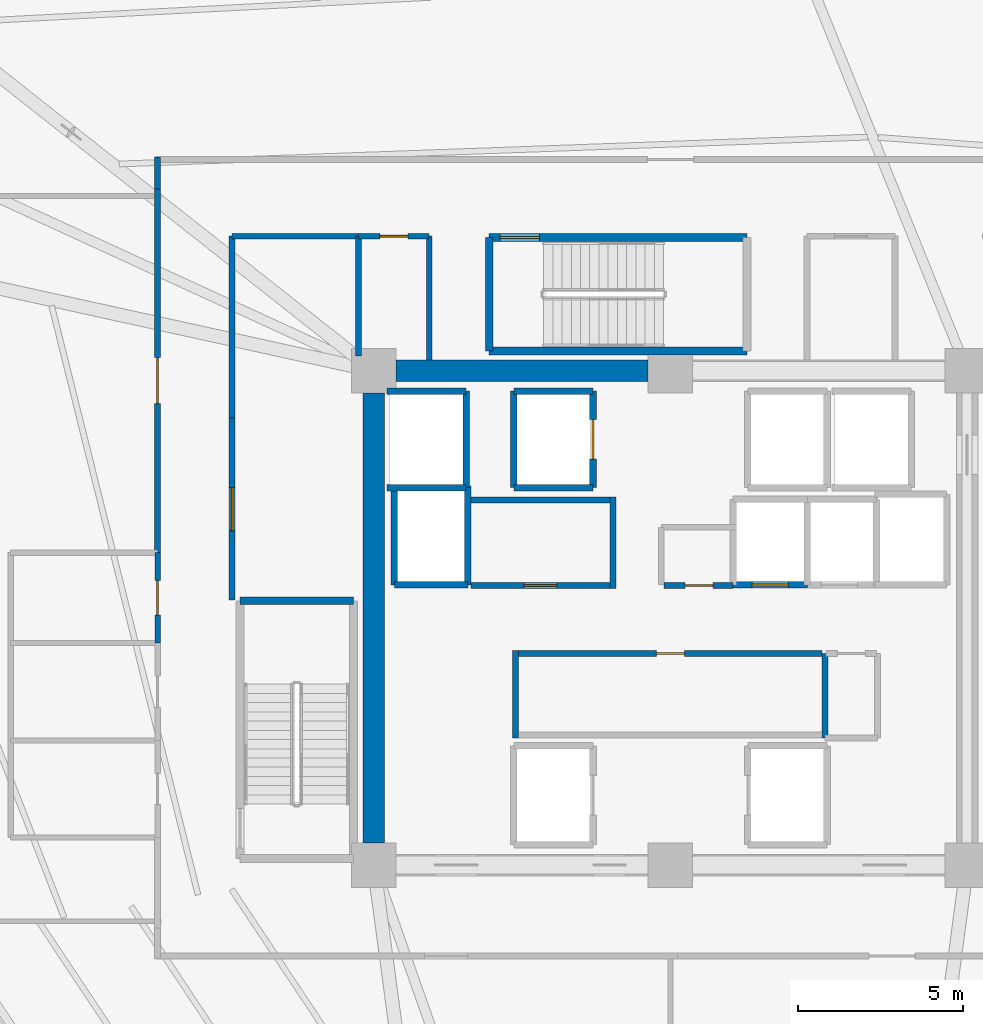
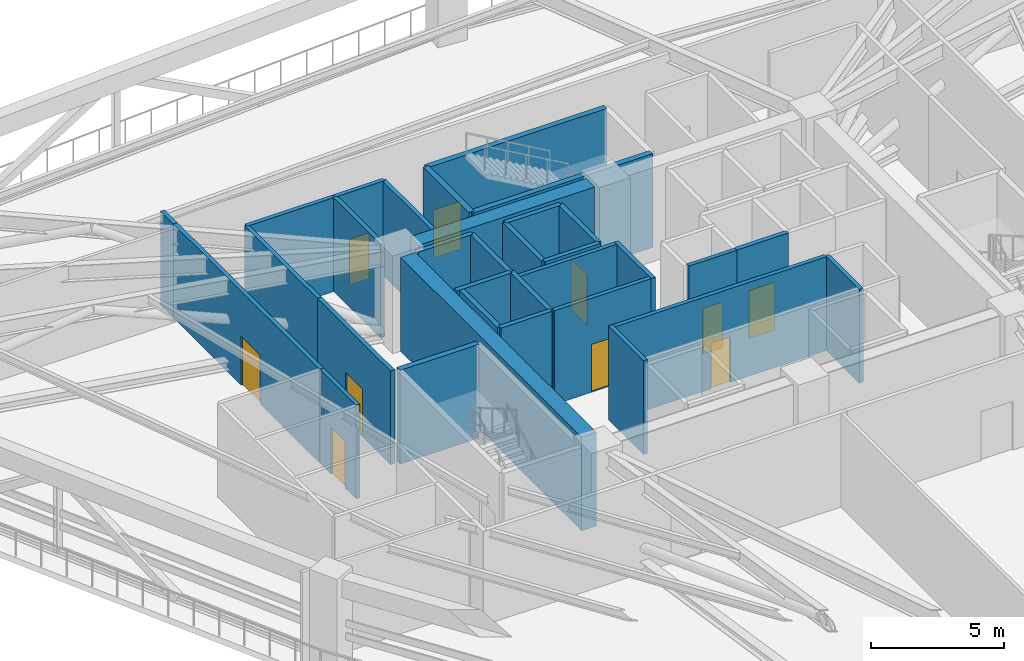
# One storey, part 15 of 25: 33 walls, 10 doors, 10 openings.
"""IFC4 building model written with IfcOpenShell, lengths in metres."""

from ifc_helpers import new_model, si_unit, direction, frame, frame_2d, origin, place, context, subcontext, project, spatial, rectangle, extrude, source, transform, mapped, material, layer, layer_set, type_object, element, fill, save


model = new_model("IFC4")

# Units and contexts
model_context = context("Model", 3, precision=1e-05, world=origin(), true_north=direction((0.0, 1.0)))
body_context = subcontext(model_context, "Body", "Model", "MODEL_VIEW")
ifc_project = project(units=[si_unit("LENGTHUNIT", "METRE"), si_unit("AREAUNIT", "SQUARE_METRE"), si_unit("VOLUMEUNIT", "CUBIC_METRE"), si_unit("PLANEANGLEUNIT", "RADIAN"), si_unit("MASSUNIT", "GRAM", prefix="KILO")], contexts=[model_context])

# Site, building, storey
site_placement = place(None, origin())
site = spatial("IfcSite", under=ifc_project, at=site_placement, CompositionType="ELEMENT")
building_placement = place(site_placement, origin())
building = spatial("IfcBuilding", under=site, at=building_placement, Name="Liaohun Quay Tower", CompositionType="ELEMENT")
storey_placement = place(building_placement, frame((0.0, 0.0, 231.75)))
storey = spatial("IfcBuildingStorey", under=building, at=storey_placement, Name="L60", CompositionType="ELEMENT", Elevation=231.75)

# Walls
ifc_material_1 = material(Name="Concrete C55", Category="concrete")
ifc_layer_1 = layer(ifc_material_1, 0.64990234375, Name="Concrete C55", Category="concrete")
ifc_layer_set_1 = layer_set([ifc_layer_1], Name="Concrete C55")
wall_type_1 = type_object("IfcWallType", Name="WAL-COR-Z3", PredefinedType="SHEAR", material=ifc_layer_set_1)
wall_1_placement = place(storey_placement, frame((51.675048828125, 61.5, 0.0), z_axis=(0.0, 0.0, 1.0), x_axis=(1.0, 0.0, 0.0)))
element("IfcWall", 1, at=wall_1_placement, inside=storey, type_object=wall_type_1, Name="L60 Central Core Shear Wall N-W", PredefinedType="SHEAR", context=body_context, shape_type="SweptSolid", body=[
    extrude(rectangle(XDim=7.64990234375, YDim=0.64990234375, at=frame_2d((3.824951171875, 0.0))), origin(), (0.0, 0.0, 1.0), 4.320068359375),
])
wall_2_placement = place(storey_placement, frame((51.0, 47.175048828125, 0.0), z_axis=(0.0, 0.0, 1.0), x_axis=(0.0, 1.0, 0.0)))
element("IfcWall", 2, at=wall_2_placement, inside=storey, type_object=wall_type_1, Name="L60 Central Core Shear Wall W", PredefinedType="SHEAR", context=body_context, shape_type="SweptSolid", body=[
    extrude(rectangle(XDim=13.64990234375, YDim=0.64990234375, at=frame_2d((6.824951171875, 0.0))), origin(), (0.0, 0.0, 1.0), 4.320068359375),
])

# Wall, opening, door
ifc_material_2 = material(Name="Autoclaved aerated concrete blockwork", Category="masonry")
ifc_layer_2 = layer(ifc_material_2, 0.179931640625, Name="Autoclaved aerated concrete blockwork", Category="masonry")
ifc_layer_set_2 = layer_set([ifc_layer_2], Name="Autoclaved aerated concrete blockwork")
wall_type_2 = type_object("IfcWallType", Name="WAL-PRT-COR", PredefinedType="PARTITIONING", material=ifc_layer_set_2)
wall_3_placement = place(storey_placement, frame((55.389892578125, 52.919921875, 0.0), z_axis=(0.0, 0.0, 1.0), x_axis=(1.0, 0.0, 0.0)))
wall_3 = element("IfcWall", 3, at=wall_3_placement, inside=storey, type_object=wall_type_2, Name="L60 Interior Partition Wall 001", PredefinedType="PARTITIONING", context=body_context, shape_type="SweptSolid", body=[
    extrude(rectangle(XDim=9.210205078125, YDim=0.179931640625, at=frame_2d((4.60498046875, 0.0))), origin(), (0.0, 0.0, 1.0), 4.320068359375),
])
shared_shape_1 = source(origin(), body_context, "Body", "SweptSolid", [
    extrude(rectangle(XDim=0.85009765625, YDim=2.10009765625, at=frame_2d((0.425048828125, 1.050048828125))), frame((0.0, 0.099853515625, 0.0), z_axis=(0.0, -1.0, 0.0), x_axis=(1.0, 0.0, 0.0)), (0.0, 0.0, 1.0), 0.199951171875),
])
opening_1_placement = place(wall_3_placement, frame((4.18505859375, 0.0, 0.0)))
opening_1 = element("IfcOpeningElement", 4, at=opening_1_placement, cuts=wall_3, Name="Opening AD1", PredefinedType="OPENING", context=body_context, shape_type="MappedRepresentation", body=[
    mapped(shared_shape_1, transform((0.0, 0.0, 0.0), x_axis=(1.0, 0.0, 0.0), y_axis=(0.0, 1.0, 0.0), z_axis=(0.0, 0.0, 1.0), scale=1.0)),
])
ifc_material_3 = material(Name="Steel riser inspection fire door", Category="steel")
door_type_1 = type_object("IfcDoorType", Name="DOR-SHF-850", OperationType="NOTDEFINED", PredefinedType="DOOR", material=ifc_material_3)
shared_shape_2 = source(origin(), body_context, "Body", "SweptSolid", [
    extrude(rectangle(XDim=0.85009765625, YDim=2.10009765625, at=frame_2d((0.425048828125, 1.050048828125))), frame((0.0, 0.02490234375, 0.0), z_axis=(0.0, -1.0, 0.0), x_axis=(1.0, 0.0, 0.0)), (0.0, 0.0, 1.0), 0.050048828125),
])
door_1_placement = place(opening_1_placement, origin())
door_1 = element("IfcDoor", 5, at=door_1_placement, inside=storey, type_object=door_type_1, Name="L60 Core Tenant Storage and Archive Room Door", OperationType="SINGLE_SWING_LEFT", OverallHeight=2.10009765625, OverallWidth=0.85009765625, PredefinedType="DOOR", context=body_context, shape_type="MappedRepresentation", body=[
    mapped(shared_shape_2, transform((0.0, 0.0, 0.0), x_axis=(1.0, 0.0, 0.0), y_axis=(0.0, 1.0, 0.0), z_axis=(0.0, 0.0, 1.0), scale=1.0)),
])
fill(opening_1, door_1)

wall_4_placement = place(storey_placement, frame((53.949951171875, 54.97998046875, 0.0), z_axis=(0.0, 0.0, 1.0), x_axis=(1.0, 0.0, 0.0)))
wall_4 = element("IfcWall", 6, at=wall_4_placement, inside=storey, type_object=wall_type_2, Name="L60 Interior Partition Wall 002", PredefinedType="PARTITIONING", context=body_context, shape_type="SweptSolid", body=[
    extrude(rectangle(XDim=4.2099609375, YDim=0.179931640625, at=frame_2d((2.10498046875, 0.0))), origin(), (0.0, 0.0, 1.0), 4.320068359375),
])
shared_shape_3 = source(origin(), body_context, "Body", "SweptSolid", [
    extrude(rectangle(XDim=1.0, YDim=2.199951171875, at=frame_2d((0.5, 1.10009765625))), frame((0.0, 0.099853515625, 0.0), z_axis=(0.0, -1.0, 0.0), x_axis=(1.0, 0.0, 0.0)), (0.0, 0.0, 1.0), 0.199951171875),
])
opening_2_placement = place(wall_4_placement, frame((1.60009765625, 0.0, 0.0)))
opening_2 = element("IfcOpeningElement", 7, at=opening_2_placement, cuts=wall_4, Name="Opening OD1", PredefinedType="OPENING", context=body_context, shape_type="MappedRepresentation", body=[
    mapped(shared_shape_3, transform((0.0, 0.0, 0.0), x_axis=(1.0, 0.0, 0.0), y_axis=(0.0, 1.0, 0.0), z_axis=(0.0, 0.0, 1.0), scale=1.0)),
])
ifc_material_4 = material(Name="Solid-core oak veneer timber leaf in steel frame", Category="steel")
door_type_2 = type_object("IfcDoorType", Name="DOR-OFF-1000", OperationType="NOTDEFINED", PredefinedType="DOOR", material=ifc_material_4)
shared_shape_4 = source(origin(), body_context, "Body", "SweptSolid", [
    extrude(rectangle(XDim=1.0, YDim=2.199951171875, at=frame_2d((0.5, 1.10009765625))), frame((0.0, 0.02490234375, 0.0), z_axis=(0.0, -1.0, 0.0), x_axis=(1.0, 0.0, 0.0)), (0.0, 0.0, 1.0), 0.050048828125),
])
door_2_placement = place(opening_2_placement, origin())
door_2 = element("IfcDoor", 8, at=door_2_placement, inside=storey, type_object=door_type_2, Name="L60 Core Staff Pantry and Tea Room Door", OperationType="SINGLE_SWING_RIGHT", OverallHeight=2.199951171875, OverallWidth=1.0, PredefinedType="DOOR", context=body_context, shape_type="MappedRepresentation", body=[
    mapped(shared_shape_4, transform((0.0, 0.0, 0.0), x_axis=(1.0, 0.0, 0.0), y_axis=(0.0, 1.0, 0.0), z_axis=(0.0, 0.0, 1.0), scale=1.0)),
])
fill(opening_2, door_2)

wall_5_placement = place(storey_placement, frame((59.81005859375, 54.97998046875, 0.0), z_axis=(0.0, 0.0, 1.0), x_axis=(1.0, 0.0, 0.0)))
wall_5 = element("IfcWall", 9, at=wall_5_placement, inside=storey, type_object=wall_type_2, Name="L60 Interior Partition Wall 003", PredefinedType="PARTITIONING", context=body_context, shape_type="SweptSolid", body=[
    extrude(rectangle(XDim=2.08984375, YDim=0.179931640625, at=frame_2d((1.044921875, 0.0))), origin(), (0.0, 0.0, 1.0), 4.320068359375),
])
opening_3_placement = place(wall_5_placement, frame((0.635009765625, 0.0, 0.0)))
opening_3 = element("IfcOpeningElement", 10, at=opening_3_placement, cuts=wall_5, Name="Opening AD1", PredefinedType="OPENING", context=body_context, shape_type="MappedRepresentation", body=[
    mapped(shared_shape_1, transform((0.0, 0.0, 0.0), x_axis=(1.0, 0.0, 0.0), y_axis=(0.0, 1.0, 0.0), z_axis=(0.0, 0.0, 1.0), scale=1.0)),
])
door_3_placement = place(opening_3_placement, origin())
door_3 = element("IfcDoor", 11, at=door_3_placement, inside=storey, type_object=door_type_1, Name="L60 Electrical Meter Room Door", OperationType="SINGLE_SWING_LEFT", OverallHeight=2.10009765625, OverallWidth=0.85009765625, PredefinedType="DOOR", context=body_context, shape_type="MappedRepresentation", body=[
    mapped(shared_shape_2, transform((0.0, 0.0, 0.0), x_axis=(1.0, 0.0, 0.0), y_axis=(0.0, 1.0, 0.0), z_axis=(0.0, 0.0, 1.0), scale=1.0)),
])
fill(opening_3, door_3)

wall_6_placement = place(storey_placement, frame((50.5400390625, 65.580078125, 0.0), z_axis=(0.0, 0.0, 1.0), x_axis=(1.0, 0.0, 0.0)))
wall_6 = element("IfcWall", 12, at=wall_6_placement, inside=storey, type_object=wall_type_2, Name="L60 Interior Partition Wall 008", PredefinedType="PARTITIONING", context=body_context, shape_type="SweptSolid", body=[
    extrude(rectangle(XDim=2.139892578125, YDim=0.179931640625, at=frame_2d((1.06982421875, 0.0))), origin(), (0.0, 0.0, 1.0), 4.320068359375),
])
opening_4_placement = place(wall_6_placement, frame((0.64501953125, 0.0, 0.0)))
opening_4 = element("IfcOpeningElement", 13, at=opening_4_placement, cuts=wall_6, Name="Opening AD1", PredefinedType="OPENING", context=body_context, shape_type="MappedRepresentation", body=[
    mapped(shared_shape_1, transform((0.0, 0.0, 0.0), x_axis=(1.0, 0.0, 0.0), y_axis=(0.0, 1.0, 0.0), z_axis=(0.0, 0.0, 1.0), scale=1.0)),
])
door_4_placement = place(opening_4_placement, origin())
door_4 = element("IfcDoor", 14, at=door_4_placement, inside=storey, type_object=door_type_1, Name="L60 North-West Supply Store Door", OperationType="SINGLE_SWING_RIGHT", OverallHeight=2.10009765625, OverallWidth=0.85009765625, PredefinedType="DOOR", context=body_context, shape_type="MappedRepresentation", body=[
    mapped(shared_shape_2, transform((0.0, 0.0, 0.0), x_axis=(1.0, 0.0, 0.0), y_axis=(0.0, 1.0, 0.0), z_axis=(0.0, 0.0, 1.0), scale=1.0)),
])
fill(opening_4, door_4)

wall_7_placement = place(storey_placement, frame((46.699951171875, 54.5400390625, 0.0), z_axis=(0.0, 0.0, 1.0), x_axis=(0.0, 1.0, 0.0)))
wall_7 = element("IfcWall", 15, at=wall_7_placement, inside=storey, type_object=wall_type_2, Name="L60 Interior Partition Wall 010", PredefinedType="PARTITIONING", context=body_context, shape_type="SweptSolid", body=[
    extrude(rectangle(XDim=5.52001953125, YDim=0.179931640625, at=frame_2d((2.760009765625, 0.0))), origin(), (0.0, 0.0, 1.0), 4.320068359375),
])
shared_shape_5 = source(origin(), body_context, "Body", "SweptSolid", [
    extrude(rectangle(XDim=1.300048828125, YDim=2.199951171875, at=frame_2d((0.64990234375, 1.10009765625))), frame((0.0, 0.099853515625, 0.0), z_axis=(0.0, -1.0, 0.0), x_axis=(1.0, 0.0, 0.0)), (0.0, 0.0, 1.0), 0.199951171875),
])
opening_5_placement = place(wall_7_placement, frame((2.110107421875, 0.0, 0.0)))
opening_5 = element("IfcOpeningElement", 16, at=opening_5_placement, cuts=wall_7, Name="Opening FD1", PredefinedType="OPENING", context=body_context, shape_type="MappedRepresentation", body=[
    mapped(shared_shape_5, transform((0.0, 0.0, 0.0), x_axis=(1.0, 0.0, 0.0), y_axis=(0.0, 1.0, 0.0), z_axis=(0.0, 0.0, 1.0), scale=1.0)),
])
ifc_material_5 = material(Name="Galvanised steel smokeproof fire door", Category="steel")
door_type_3 = type_object("IfcDoorType", Name="DOR-FFL-1300", OperationType="NOTDEFINED", PredefinedType="DOOR", material=ifc_material_5)
shared_shape_6 = source(origin(), body_context, "Body", "SweptSolid", [
    extrude(rectangle(XDim=1.300048828125, YDim=2.199951171875, at=frame_2d((0.64990234375, 1.10009765625))), frame((0.0, 0.02490234375, 0.0), z_axis=(0.0, -1.0, 0.0), x_axis=(1.0, 0.0, 0.0)), (0.0, 0.0, 1.0), 0.050048828125),
])
door_5_placement = place(opening_5_placement, origin())
door_5 = element("IfcDoor", 17, at=door_5_placement, inside=storey, type_object=door_type_3, Name="L60 West Core Vestibule Door", OperationType="SINGLE_SWING_RIGHT", OverallHeight=2.199951171875, OverallWidth=1.300048828125, PredefinedType="DOOR", context=body_context, shape_type="MappedRepresentation", body=[
    mapped(shared_shape_6, transform((0.0, 0.0, 0.0), x_axis=(1.0, 0.0, 0.0), y_axis=(0.0, 1.0, 0.0), z_axis=(0.0, 0.0, 1.0), scale=1.0)),
])
fill(opening_5, door_5)

wall_8_placement = place(storey_placement, frame((44.43994140625, 55.97998046875, 0.0), z_axis=(0.0, 0.0, 1.0), x_axis=(0.0, 1.0, 0.0)))
wall_8 = element("IfcWall", 18, at=wall_8_placement, inside=storey, type_object=wall_type_2, Name="L60 Interior Partition Wall 014", PredefinedType="PARTITIONING", context=body_context, shape_type="SweptSolid", body=[
    extrude(rectangle(XDim=11.034912109375, YDim=0.179931640625, at=frame_2d((5.517578125, 0.0))), origin(), (0.0, 0.0, 1.0), 4.320068359375),
])
shared_shape_7 = source(origin(), body_context, "Body", "SweptSolid", [
    extrude(rectangle(XDim=1.39990234375, YDim=2.25, at=frame_2d((0.699951171875, 1.125))), frame((0.0, 0.099853515625, 0.0), z_axis=(0.0, -1.0, 0.0), x_axis=(1.0, 0.0, 0.0)), (0.0, 0.0, 1.0), 0.199951171875),
])
opening_6_placement = place(wall_8_placement, frame((4.51806640625, 0.0, 0.0)))
opening_6 = element("IfcOpeningElement", 19, at=opening_6_placement, cuts=wall_8, Name="Opening MD1", PredefinedType="OPENING", context=body_context, shape_type="MappedRepresentation", body=[
    mapped(shared_shape_7, transform((0.0, 0.0, 0.0), x_axis=(1.0, 0.0, 0.0), y_axis=(0.0, 1.0, 0.0), z_axis=(0.0, 0.0, 1.0), scale=1.0)),
])
ifc_material_6 = material(Name="Insulated steel plant room door", Category="steel")
door_type_4 = type_object("IfcDoorType", Name="DOR-MEP-1400", OperationType="DOUBLE_DOOR_SINGLE_SWING", PredefinedType="DOOR", material=ifc_material_6)
shared_shape_8 = source(origin(), body_context, "Body", "SweptSolid", [
    extrude(rectangle(XDim=1.39990234375, YDim=2.25, at=frame_2d((0.699951171875, 1.125))), frame((0.0, 0.02490234375, 0.0), z_axis=(0.0, -1.0, 0.0), x_axis=(1.0, 0.0, 0.0)), (0.0, 0.0, 1.0), 0.050048828125),
])
door_6_placement = place(opening_6_placement, origin())
door_6 = element("IfcDoor", 20, at=door_6_placement, inside=storey, type_object=door_type_4, Name="L60 West Air Handling Unit Plant Room Door", OperationType="DOUBLE_DOOR_SINGLE_SWING", OverallHeight=2.25, OverallWidth=1.39990234375, PredefinedType="DOOR", context=body_context, shape_type="MappedRepresentation", body=[
    mapped(shared_shape_8, transform((0.0, 0.0, 0.0), x_axis=(1.0, 0.0, 0.0), y_axis=(0.0, 1.0, 0.0), z_axis=(0.0, 0.0, 1.0), scale=1.0)),
])
fill(opening_6, door_6)

# Walls
wall_9_placement = place(storey_placement, frame((64.68994140625, 50.35009765625, 0.0), z_axis=(0.0, 0.0, 1.0), x_axis=(0.0, 1.0, 0.0)))
element("IfcWall", 21, at=wall_9_placement, inside=storey, type_object=wall_type_2, Name="L60 Interior Partition Wall 019", PredefinedType="PARTITIONING", context=body_context, shape_type="SweptSolid", body=[
    extrude(rectangle(XDim=2.56982421875, YDim=0.179931640625, at=frame_2d((1.284912109375, 0.0))), origin(), (0.0, 0.0, 1.0), 4.320068359375),
])
wall_10_placement = place(storey_placement, frame((50.5400390625, 61.949951171875, 0.0), z_axis=(0.0, 0.0, 1.0), x_axis=(0.0, 1.0, 0.0)))
element("IfcWall", 22, at=wall_10_placement, inside=storey, type_object=wall_type_2, Name="L60 Interior Partition Wall 027", PredefinedType="PARTITIONING", context=body_context, shape_type="SweptSolid", body=[
    extrude(rectangle(XDim=3.630126953125, YDim=0.179931640625, at=frame_2d((1.81494140625, 0.0))), origin(), (0.0, 0.0, 1.0), 4.320068359375),
])
wall_11_placement = place(storey_placement, frame((52.679931640625, 61.824951171875, 0.0), z_axis=(0.0, 0.0, 1.0), x_axis=(0.0, 1.0, 0.0)))
element("IfcWall", 23, at=wall_11_placement, inside=storey, type_object=wall_type_2, Name="L60 Interior Partition Wall 028", PredefinedType="PARTITIONING", context=body_context, shape_type="SweptSolid", body=[
    extrude(rectangle(XDim=3.755126953125, YDim=0.179931640625, at=frame_2d((1.87744140625, 0.0))), origin(), (0.0, 0.0, 1.0), 4.320068359375),
])
wall_12_placement = place(storey_placement, frame((46.699951171875, 65.580078125, 0.0), z_axis=(0.0, 0.0, 1.0), x_axis=(1.0, 0.0, 0.0)))
element("IfcWall", 24, at=wall_12_placement, inside=storey, type_object=wall_type_2, Name="L60 Interior Partition Wall 031", PredefinedType="PARTITIONING", context=body_context, shape_type="SweptSolid", body=[
    extrude(rectangle(XDim=3.840087890625, YDim=0.179931640625, at=frame_2d((1.919921875, 0.0))), origin(), (0.0, 0.0, 1.0), 4.320068359375),
])
wall_13_placement = place(storey_placement, frame((46.699951171875, 60.06005859375, 0.0), z_axis=(0.0, 0.0, 1.0), x_axis=(0.0, 1.0, 0.0)))
element("IfcWall", 25, at=wall_13_placement, inside=storey, type_object=wall_type_2, Name="L60 Interior Partition Wall 033", PredefinedType="PARTITIONING", context=body_context, shape_type="SweptSolid", body=[
    extrude(rectangle(XDim=5.52001953125, YDim=0.179931640625, at=frame_2d((2.760009765625, 0.0))), origin(), (0.0, 0.0, 1.0), 4.320068359375),
])
wall_14_placement = place(storey_placement, frame((44.43994140625, 67.014892578125, 0.0), z_axis=(0.0, 0.0, 1.0), x_axis=(0.0, 1.0, 0.0)))
element("IfcWall", 26, at=wall_14_placement, inside=storey, type_object=wall_type_2, Name="L60 Interior Partition Wall 035", PredefinedType="PARTITIONING", context=body_context, shape_type="SweptSolid", body=[
    extrude(rectangle(XDim=0.965087890625, YDim=0.179931640625, at=frame_2d((0.482421875, 0.0))), origin(), (0.0, 0.0, 1.0), 4.320068359375),
])
wall_15_placement = place(storey_placement, frame((55.300048828125, 50.360107421875, 0.0), z_axis=(0.0, 0.0, 1.0), x_axis=(0.0, 1.0, 0.0)))
element("IfcWall", 27, at=wall_15_placement, inside=storey, type_object=wall_type_2, Name="L60 Interior Partition Wall 045", PredefinedType="PARTITIONING", context=body_context, shape_type="SweptSolid", body=[
    extrude(rectangle(XDim=2.64990234375, YDim=0.179931640625, at=frame_2d((1.324951171875, 0.0))), origin(), (0.0, 0.0, 1.0), 4.320068359375),
])
wall_16_placement = place(storey_placement, frame((58.25, 54.889892578125, 0.0), z_axis=(0.0, 0.0, 1.0), x_axis=(0.0, 1.0, 0.0)))
element("IfcWall", 28, at=wall_16_placement, inside=storey, type_object=wall_type_2, Name="L60 Interior Partition Wall 047", PredefinedType="PARTITIONING", context=body_context, shape_type="SweptSolid", body=[
    extrude(rectangle(XDim=2.780029296875, YDim=0.179931640625, at=frame_2d((1.39013671875, 0.0))), origin(), (0.0, 0.0, 1.0), 4.320068359375),
])
wall_17_placement = place(storey_placement, frame((53.949951171875, 57.580078125, 0.0), z_axis=(0.0, 0.0, 1.0), x_axis=(1.0, 0.0, 0.0)))
element("IfcWall", 29, at=wall_17_placement, inside=storey, type_object=wall_type_2, Name="L60 Interior Partition Wall 048", PredefinedType="PARTITIONING", context=body_context, shape_type="SweptSolid", body=[
    extrude(rectangle(XDim=4.2099609375, YDim=0.179931640625, at=frame_2d((2.10498046875, 0.0))), origin(), (0.0, 0.0, 1.0), 4.320068359375),
])

# Wall, opening, door
ifc_material_7 = material(Name="Moisture-resistant masonry blockwork", Category="masonry")
ifc_layer_3 = layer(ifc_material_7, 0.159912109375, Name="Moisture-resistant masonry blockwork", Category="masonry")
ifc_layer_set_3 = layer_set([ifc_layer_3], Name="Moisture-resistant masonry blockwork")
wall_type_3 = type_object("IfcWallType", Name="WAL-PRT-WET", PredefinedType="PARTITIONING", material=ifc_layer_set_3)
wall_18_placement = place(storey_placement, frame((44.43994140625, 53.239990234375, 0.0), z_axis=(0.0, 0.0, 1.0), x_axis=(0.0, 1.0, 0.0)))
wall_18 = element("IfcWall", 30, at=wall_18_placement, inside=storey, type_object=wall_type_3, Name="L60 Interior Partition Wall 007", PredefinedType="PARTITIONING", context=body_context, shape_type="SweptSolid", body=[
    extrude(rectangle(XDim=2.739990234375, YDim=0.159912109375, at=frame_2d((1.3701171875, 0.0))), origin(), (0.0, 0.0, 1.0), 4.320068359375),
])
shared_shape_9 = source(origin(), body_context, "Body", "SweptSolid", [
    extrude(rectangle(XDim=1.050048828125, YDim=2.14990234375, at=frame_2d((0.52490234375, 1.074951171875))), frame((0.0, 0.08984375, 0.0), z_axis=(0.0, -1.0, 0.0), x_axis=(1.0, 0.0, 0.0)), (0.0, 0.0, 1.0), 0.179931640625),
])
opening_7_placement = place(wall_18_placement, frame((0.844970703125, 0.0, 0.0)))
opening_7 = element("IfcOpeningElement", 31, at=opening_7_placement, cuts=wall_18, Name="Opening WD2", PredefinedType="OPENING", context=body_context, shape_type="MappedRepresentation", body=[
    mapped(shared_shape_9, transform((0.0, 0.0, 0.0), x_axis=(1.0, 0.0, 0.0), y_axis=(0.0, 1.0, 0.0), z_axis=(0.0, 0.0, 1.0), scale=1.0)),
])
ifc_material_8 = material(Name="Accessible outward-swinging laminate door")
door_type_5 = type_object("IfcDoorType", Name="DOR-AWC-1050", OperationType="NOTDEFINED", PredefinedType="DOOR", material=ifc_material_8)
shared_shape_10 = source(origin(), body_context, "Body", "SweptSolid", [
    extrude(rectangle(XDim=1.050048828125, YDim=2.14990234375, at=frame_2d((0.52490234375, 1.074951171875))), frame((0.0, 0.02490234375, 0.0), z_axis=(0.0, -1.0, 0.0), x_axis=(1.0, 0.0, 0.0)), (0.0, 0.0, 1.0), 0.050048828125),
])
door_7_placement = place(opening_7_placement, origin())
door_7 = element("IfcDoor", 32, at=door_7_placement, inside=storey, type_object=door_type_5, Name="L60 Accessible WC Door", OperationType="SINGLE_SWING_LEFT", OverallHeight=2.14990234375, OverallWidth=1.050048828125, PredefinedType="DOOR", context=body_context, shape_type="MappedRepresentation", body=[
    mapped(shared_shape_10, transform((0.0, 0.0, 0.0), x_axis=(1.0, 0.0, 0.0), y_axis=(0.0, 1.0, 0.0), z_axis=(0.0, 0.0, 1.0), scale=1.0)),
])
fill(opening_7, door_7)

# Walls
ifc_material_9 = material(Name="Concrete C50", Category="concrete")
ifc_layer_4 = layer(ifc_material_9, 0.239990234375, Name="Concrete C50", Category="concrete")
ifc_layer_set_4 = layer_set([ifc_layer_4], Name="Concrete C50")
wall_type_4 = type_object("IfcWallType", Name="WAL-SHF-200", PredefinedType="SOLIDWALL", material=ifc_layer_set_4)
wall_19_placement = place(storey_placement, frame((50.3798828125, 54.52001953125, 0.0), z_axis=(0.0, 0.0, 1.0), x_axis=(-1.0, 0.0, 0.0)))
element("IfcWall", 33, at=wall_19_placement, inside=storey, type_object=wall_type_4, Name="L60 Stairwell ST-1 Structural Core Wall N", PredefinedType="SOLIDWALL", context=body_context, shape_type="SweptSolid", body=[
    extrude(rectangle(XDim=3.43994140625, YDim=0.239990234375, at=frame_2d((1.719970703125, 0.0))), origin(), (0.0, 0.0, 1.0), 4.320068359375),
])
wall_20_placement = place(storey_placement, frame((54.5, 62.10009765625, 0.0), z_axis=(0.0, 0.0, 1.0), x_axis=(1.0, 0.0, 0.0)))
element("IfcWall", 34, at=wall_20_placement, inside=storey, type_object=wall_type_4, Name="L60 Stairwell ST-3 Structural Core Wall S", PredefinedType="SOLIDWALL", context=body_context, shape_type="SweptSolid", body=[
    extrude(rectangle(XDim=7.820068359375, YDim=0.239990234375, at=frame_2d((3.91015625, 0.0))), origin(), (0.0, 0.0, 1.0), 4.320068359375),
])

# Wall, opening, door
wall_21_placement = place(storey_placement, frame((62.320068359375, 65.5400390625, 0.0), z_axis=(0.0, 0.0, 1.0), x_axis=(-1.0, 0.0, 0.0)))
wall_21 = element("IfcWall", 35, at=wall_21_placement, inside=storey, type_object=wall_type_4, Name="L60 Stairwell ST-3 Structural Core Wall N", PredefinedType="SOLIDWALL", context=body_context, shape_type="SweptSolid", body=[
    extrude(rectangle(XDim=7.820068359375, YDim=0.239990234375, at=frame_2d((3.91015625, 0.0))), origin(), (0.0, 0.0, 1.0), 4.320068359375),
])
shared_shape_11 = source(origin(), body_context, "Body", "SweptSolid", [
    extrude(rectangle(XDim=1.199951171875, YDim=2.199951171875, at=frame_2d((0.60009765625, 1.10009765625))), frame((0.0, 0.1298828125, 0.0), z_axis=(0.0, -1.0, 0.0), x_axis=(1.0, 0.0, 0.0)), (0.0, 0.0, 1.0), 0.260009765625),
])
opening_8_placement = place(wall_21_placement, frame((6.300048828125, 0.0, 0.0)))
opening_8 = element("IfcOpeningElement", 36, at=opening_8_placement, cuts=wall_21, Name="Opening SD1", PredefinedType="OPENING", context=body_context, shape_type="MappedRepresentation", body=[
    mapped(shared_shape_11, transform((0.0, 0.0, 0.0), x_axis=(1.0, 0.0, 0.0), y_axis=(0.0, 1.0, 0.0), z_axis=(0.0, 0.0, 1.0), scale=1.0)),
])
ifc_material_10 = material(Name="Galvanised steel fire door", Category="steel")
door_type_6 = type_object("IfcDoorType", Name="DOR-STR-1200", OperationType="NOTDEFINED", PredefinedType="DOOR", material=ifc_material_10)
shared_shape_12 = source(origin(), body_context, "Body", "SweptSolid", [
    extrude(rectangle(XDim=1.199951171875, YDim=2.199951171875, at=frame_2d((0.60009765625, 1.10009765625))), frame((0.0, 0.02490234375, 0.0), z_axis=(0.0, -1.0, 0.0), x_axis=(1.0, 0.0, 0.0)), (0.0, 0.0, 1.0), 0.050048828125),
])
door_8_placement = place(opening_8_placement, origin())
door_8 = element("IfcDoor", 37, at=door_8_placement, inside=storey, type_object=door_type_6, Name="L60 Protected Stair ST-3 Fire Door", OperationType="SINGLE_SWING_RIGHT", OverallHeight=2.199951171875, OverallWidth=1.199951171875, PredefinedType="DOOR", context=body_context, shape_type="MappedRepresentation", body=[
    mapped(shared_shape_12, transform((0.0, 0.0, 0.0), x_axis=(1.0, 0.0, 0.0), y_axis=(0.0, 1.0, 0.0), z_axis=(0.0, 0.0, 1.0), scale=1.0)),
])
fill(opening_8, door_8)

# Walls
wall_22_placement = place(storey_placement, frame((54.5, 65.5400390625, 0.0), z_axis=(0.0, 0.0, 1.0), x_axis=(0.0, -1.0, 0.0)))
element("IfcWall", 38, at=wall_22_placement, inside=storey, type_object=wall_type_4, Name="L60 Stairwell ST-3 Structural Core Wall W", PredefinedType="SOLIDWALL", context=body_context, shape_type="SweptSolid", body=[
    extrude(rectangle(XDim=3.43994140625, YDim=0.239990234375, at=frame_2d((1.719970703125, 0.0))), origin(), (0.0, 0.0, 1.0), 4.320068359375),
])
wall_23_placement = place(storey_placement, frame((55.25, 57.949951171875, 0.0), z_axis=(0.0, 0.0, 1.0), x_axis=(1.0, 0.0, 0.0)))
element("IfcWall", 39, at=wall_23_placement, inside=storey, type_object=wall_type_4, Name="L60 Lift FF-03 Hoistway Wall S", PredefinedType="SOLIDWALL", context=body_context, shape_type="SweptSolid", body=[
    extrude(rectangle(XDim=2.39990234375, YDim=0.199951171875, at=frame_2d((1.199951171875, 0.0))), origin(), (0.0, 0.0, 1.0), 4.320068359375),
])

# Wall, opening, door
wall_24_placement = place(storey_placement, frame((57.64990234375, 57.949951171875, 0.0), z_axis=(0.0, 0.0, 1.0), x_axis=(0.0, 1.0, 0.0)))
wall_24 = element("IfcWall", 40, at=wall_24_placement, inside=storey, type_object=wall_type_4, Name="L60 Lift FF-03 Hoistway Wall E", PredefinedType="SOLIDWALL", context=body_context, shape_type="SweptSolid", body=[
    extrude(rectangle(XDim=2.929931640625, YDim=0.199951171875, at=frame_2d((1.46484375, 0.0))), origin(), (0.0, 0.0, 1.0), 4.320068359375),
])
shared_shape_13 = source(origin(), body_context, "Body", "SweptSolid", [
    extrude(rectangle(XDim=1.199951171875, YDim=2.300048828125, at=frame_2d((0.60009765625, 1.14990234375))), frame((0.0, 0.10986328125, 0.0), z_axis=(0.0, -1.0, 0.0), x_axis=(1.0, 0.0, 0.0)), (0.0, 0.0, 1.0), 0.219970703125),
])
opening_9_placement = place(wall_24_placement, frame((0.864990234375, 0.0, 0.0)))
opening_9 = element("IfcOpeningElement", 41, at=opening_9_placement, cuts=wall_24, Name="Opening LD2", PredefinedType="OPENING", context=body_context, shape_type="MappedRepresentation", body=[
    mapped(shared_shape_13, transform((0.0, 0.0, 0.0), x_axis=(1.0, 0.0, 0.0), y_axis=(0.0, 1.0, 0.0), z_axis=(0.0, 0.0, 1.0), scale=1.0)),
])
ifc_material_11 = material(Name="Brushed stainless steel stretcher landing door", Category="steel")
door_type_7 = type_object("IfcDoorType", Name="DOR-LFT-1200", OperationType="SLIDING_TO_LEFT", PredefinedType="DOOR", material=ifc_material_11)
shared_shape_14 = source(origin(), body_context, "Body", "SweptSolid", [
    extrude(rectangle(XDim=1.199951171875, YDim=2.300048828125, at=frame_2d((0.60009765625, 1.14990234375))), frame((0.0, 0.02490234375, 0.0), z_axis=(0.0, -1.0, 0.0), x_axis=(1.0, 0.0, 0.0)), (0.0, 0.0, 1.0), 0.050048828125),
])
door_9_placement = place(opening_9_placement, origin())
door_9 = element("IfcDoor", 42, at=door_9_placement, inside=storey, type_object=door_type_7, Name="L60 Lift FF-03 Sliding Landing Door", OperationType="SLIDING_TO_LEFT", OverallHeight=2.300048828125, OverallWidth=1.199951171875, PredefinedType="DOOR", context=body_context, shape_type="MappedRepresentation", body=[
    mapped(shared_shape_14, transform((0.0, 0.0, 0.0), x_axis=(1.0, 0.0, 0.0), y_axis=(0.0, 1.0, 0.0), z_axis=(0.0, 0.0, 1.0), scale=1.0)),
])
fill(opening_9, door_9)

# Walls
wall_25_placement = place(storey_placement, frame((57.64990234375, 60.8798828125, 0.0), z_axis=(0.0, 0.0, 1.0), x_axis=(-1.0, 0.0, 0.0)))
element("IfcWall", 43, at=wall_25_placement, inside=storey, type_object=wall_type_4, Name="L60 Lift FF-03 Hoistway Wall N", PredefinedType="SOLIDWALL", context=body_context, shape_type="SweptSolid", body=[
    extrude(rectangle(XDim=2.39990234375, YDim=0.199951171875, at=frame_2d((1.199951171875, 0.0))), origin(), (0.0, 0.0, 1.0), 4.320068359375),
])
wall_26_placement = place(storey_placement, frame((55.25, 60.8798828125, 0.0), z_axis=(0.0, 0.0, 1.0), x_axis=(0.0, -1.0, 0.0)))
element("IfcWall", 44, at=wall_26_placement, inside=storey, type_object=wall_type_4, Name="L60 Lift FF-03 Hoistway Wall W", PredefinedType="SOLIDWALL", context=body_context, shape_type="SweptSolid", body=[
    extrude(rectangle(XDim=2.929931640625, YDim=0.199951171875, at=frame_2d((1.46484375, 0.0))), origin(), (0.0, 0.0, 1.0), 4.320068359375),
])
wall_27_placement = place(storey_placement, frame((51.39990234375, 57.949951171875, 0.0), z_axis=(0.0, 0.0, 1.0), x_axis=(1.0, 0.0, 0.0)))
element("IfcWall", 45, at=wall_27_placement, inside=storey, type_object=wall_type_4, Name="L60 Lift SH-01 Hoistway Wall S", PredefinedType="SOLIDWALL", context=body_context, shape_type="SweptSolid", body=[
    extrude(rectangle(XDim=2.400146484375, YDim=0.199951171875, at=frame_2d((1.2001953125, 0.0))), origin(), (0.0, 0.0, 1.0), 4.320068359375),
])
wall_28_placement = place(storey_placement, frame((53.800048828125, 57.949951171875, 0.0), z_axis=(0.0, 0.0, 1.0), x_axis=(0.0, 1.0, 0.0)))
element("IfcWall", 46, at=wall_28_placement, inside=storey, type_object=wall_type_4, Name="L60 Lift SH-01 Hoistway Wall E", PredefinedType="SOLIDWALL", context=body_context, shape_type="SweptSolid", body=[
    extrude(rectangle(XDim=2.929931640625, YDim=0.199951171875, at=frame_2d((1.46484375, 0.0))), origin(), (0.0, 0.0, 1.0), 4.320068359375),
])
wall_29_placement = place(storey_placement, frame((53.800048828125, 60.8798828125, 0.0), z_axis=(0.0, 0.0, 1.0), x_axis=(-1.0, 0.0, 0.0)))
element("IfcWall", 47, at=wall_29_placement, inside=storey, type_object=wall_type_4, Name="L60 Lift SH-01 Hoistway Wall N", PredefinedType="SOLIDWALL", context=body_context, shape_type="SweptSolid", body=[
    extrude(rectangle(XDim=2.400146484375, YDim=0.199951171875, at=frame_2d((1.2001953125, 0.0))), origin(), (0.0, 0.0, 1.0), 4.320068359375),
])
wall_30_placement = place(storey_placement, frame((51.6201171875, 55.0, 0.0), z_axis=(0.0, 0.0, 1.0), x_axis=(1.0, 0.0, 0.0)))
element("IfcWall", 48, at=wall_30_placement, inside=storey, type_object=wall_type_4, Name="L60 Lift SH-02 Hoistway Wall S", PredefinedType="SOLIDWALL", context=body_context, shape_type="SweptSolid", body=[
    extrude(rectangle(XDim=2.22998046875, YDim=0.199951171875, at=frame_2d((1.114990234375, 0.0))), origin(), (0.0, 0.0, 1.0), 4.320068359375),
])
for number, where, z_axis, x_axis, name in (
    (49, (53.85009765625, 55.0, 0.0), (0.0, 0.0, 1.0), (0.0, 1.0, 0.0), "L60 Lift SH-02 Hoistway Wall E"),
    (50, (51.6201171875, 58.0, 0.0), (0.0, 0.0, 1.0), (0.0, -1.0, 0.0), "L60 Lift SH-02 Hoistway Wall W"),
):
    element("IfcWall", number, at=place(storey_placement, frame(where, z_axis=z_axis, x_axis=x_axis)), inside=storey, type_object=wall_type_4, Name=name, PredefinedType="SOLIDWALL", context=body_context, shape_type="SweptSolid", body=[
        extrude(rectangle(XDim=3.0, YDim=0.199951171875, at=frame_2d((1.5, 0.0))), origin(), (0.0, 0.0, 1.0), 4.320068359375),
    ])

# Wall, opening, door
wall_31_placement = place(storey_placement, frame((61.89990234375, 55.0, 0.0), z_axis=(0.0, 0.0, 1.0), x_axis=(1.0, 0.0, 0.0)))
wall_31 = element("IfcWall", 51, at=wall_31_placement, inside=storey, type_object=wall_type_4, Name="L60 Lift PL-3A Hoistway Wall S", PredefinedType="SOLIDWALL", context=body_context, shape_type="SweptSolid", body=[
    extrude(rectangle(XDim=2.25, YDim=0.199951171875, at=frame_2d((1.125, 0.0))), origin(), (0.0, 0.0, 1.0), 4.320068359375),
])
shared_shape_15 = source(origin(), body_context, "Body", "SweptSolid", [
    extrude(rectangle(XDim=1.10009765625, YDim=2.199951171875, at=frame_2d((0.550048828125, 1.10009765625))), frame((0.0, 0.10986328125, 0.0), z_axis=(0.0, -1.0, 0.0), x_axis=(1.0, 0.0, 0.0)), (0.0, 0.0, 1.0), 0.219970703125),
])
opening_10_placement = place(wall_31_placement, frame((0.574951171875, 0.0, 0.0)))
opening_10 = element("IfcOpeningElement", 52, at=opening_10_placement, cuts=wall_31, Name="Opening LD1", PredefinedType="OPENING", context=body_context, shape_type="MappedRepresentation", body=[
    mapped(shared_shape_15, transform((0.0, 0.0, 0.0), x_axis=(1.0, 0.0, 0.0), y_axis=(0.0, 1.0, 0.0), z_axis=(0.0, 0.0, 1.0), scale=1.0)),
])
ifc_material_12 = material(Name="Brushed stainless steel landing door", Category="steel")
door_type_8 = type_object("IfcDoorType", Name="DOR-LFT-1100", OperationType="SLIDING_TO_LEFT", PredefinedType="DOOR", material=ifc_material_12)
shared_shape_16 = source(origin(), body_context, "Body", "SweptSolid", [
    extrude(rectangle(XDim=1.10009765625, YDim=2.199951171875, at=frame_2d((0.550048828125, 1.10009765625))), frame((0.0, 0.02490234375, 0.0), z_axis=(0.0, -1.0, 0.0), x_axis=(1.0, 0.0, 0.0)), (0.0, 0.0, 1.0), 0.050048828125),
])
door_10_placement = place(opening_10_placement, origin())
door_10 = element("IfcDoor", 53, at=door_10_placement, inside=storey, type_object=door_type_8, Name="L60 Lift PL-3A Sliding Landing Door", OperationType="SLIDING_TO_LEFT", OverallHeight=2.199951171875, OverallWidth=1.10009765625, PredefinedType="DOOR", context=body_context, shape_type="MappedRepresentation", body=[
    mapped(shared_shape_16, transform((0.0, 0.0, 0.0), x_axis=(1.0, 0.0, 0.0), y_axis=(0.0, 1.0, 0.0), z_axis=(0.0, 0.0, 1.0), scale=1.0)),
])
fill(opening_10, door_10)

save(model, "model.ifc")
